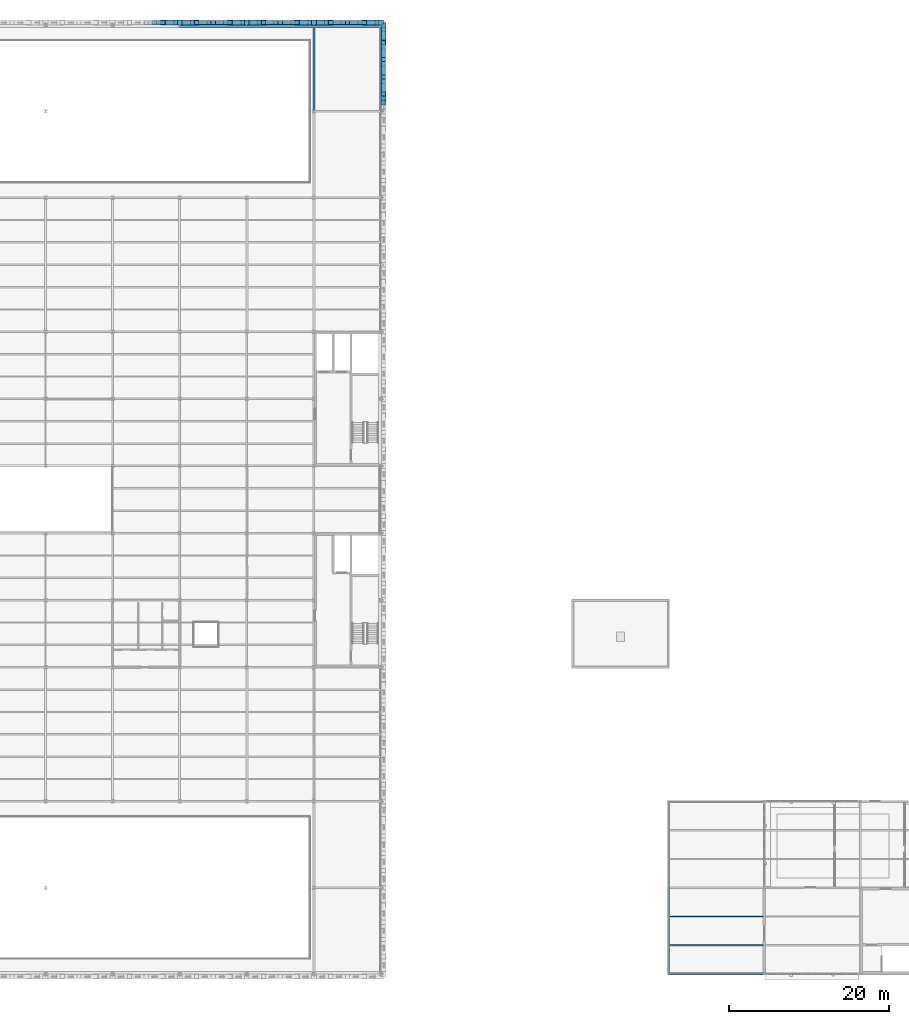
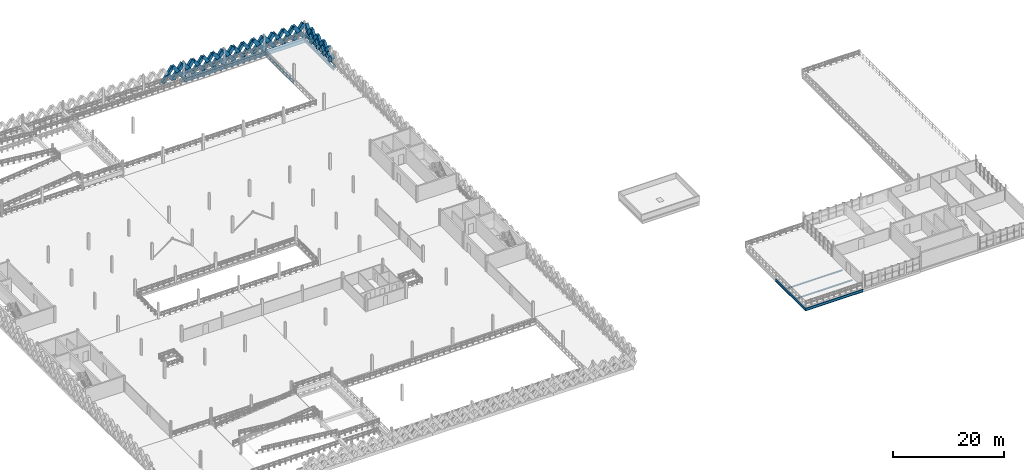
# One storey, part 28 of 62: 55 members, 9 beams.
"""IFC4 building model written with IfcOpenShell, lengths in metres."""

from ifc_helpers import new_model, si_unit, direction, frame, origin, origin_2d, place, context, subcontext, project, spatial, rectangle, hollow_rectangle, i_section, extrude, material, material_profile, profile_set, type_object, element, save


model = new_model("IFC4")

# Units and contexts
model_context = context("Model", 3, precision=1e-05, world=origin(), true_north=direction((0.0, 1.0)))
body_context = subcontext(model_context, "Body", "Model", "MODEL_VIEW")
ifc_project = project(units=[si_unit("LENGTHUNIT", "METRE"), si_unit("AREAUNIT", "SQUARE_METRE"), si_unit("VOLUMEUNIT", "CUBIC_METRE"), si_unit("PLANEANGLEUNIT", "RADIAN"), si_unit("MASSUNIT", "GRAM", prefix="KILO"), si_unit("THERMODYNAMICTEMPERATUREUNIT", "KELVIN"), si_unit("POWERUNIT", "WATT")], contexts=[model_context])

# Site, building, storey
site_placement = place(None, origin())
site = spatial("IfcSite", under=ifc_project, at=site_placement, CompositionType="ELEMENT")
building_placement = place(site_placement, origin())
building = spatial("IfcBuilding", under=site, at=building_placement, Name="Tembeka Court Mobility Hub", CompositionType="ELEMENT")
storey_placement = place(building_placement, frame((0.0, 0.0, 16.199951171875)))
storey = spatial("IfcBuildingStorey", under=building, at=storey_placement, Name="L04", CompositionType="ELEMENT", Elevation=16.199951171875)

# Beams
ifc_material_1 = material(Name="Steel S355", Category="steel")
ifc_material_profile_1 = material_profile(ifc_material_1, i_section(OverallWidth=0.22900390625, OverallDepth=0.612060546875, WebThickness=0.011962890625, FlangeThickness=0.01953125, FilletRadius=0.0126953125, at=origin_2d()), Name="UKB 610x229x125")
ifc_profile_set_1 = profile_set([ifc_material_profile_1], Name="Steel S355")
beam_type_1 = type_object("IfcBeamType", Name="BM-G02", PredefinedType="USERDEFINED", material=ifc_profile_set_1)
beam_1_placement = place(storey_placement, frame((128.39990234375, 0.0, -0.6259765625), z_axis=(1.0, 0.0, 0.0), x_axis=(0.0, 1.0, 0.0)))
element("IfcBeam", 1, at=beam_1_placement, inside=storey, type_object=beam_type_1, Name="Beam G02 (BM-L04-X2195)", ObjectType="GIRDER", PredefinedType="USERDEFINED", context=body_context, shape_type="SweptSolid", body=[
    extrude(i_section(OverallWidth=0.22900390625, OverallDepth=0.612060546875, WebThickness=0.011962890625, FlangeThickness=0.01953125, FilletRadius=0.0126953125, at=origin_2d()), origin(), (0.0, 0.0, 1.0), 12.0),
])
for number, where, z_axis, x_axis, name in (
    (2, (84.0, 108.0, -0.52587890625), (0.0, 1.0, 0.0), (-1.0, 0.0, 0.0), "Beam G02 (BM-L04-Y2406)"),
    (3, (92.39990234375, 108.0, -0.52587890625), (0.0, 1.0, 0.0), (-1.0, 0.0, 0.0), "Beam G02 (BM-L04-Y2417)"),
    (4, (128.39990234375, 0.0, -0.6259765625), (0.0, 1.0, 0.0), (-1.0, 0.0, 0.0), "Beam G02 (BM-L04-Y2419)"),
):
    element("IfcBeam", number, at=place(storey_placement, frame(where, z_axis=z_axis, x_axis=x_axis)), inside=storey, type_object=beam_type_1, Name=name, ObjectType="GIRDER", PredefinedType="USERDEFINED", context=body_context, shape_type="SweptSolid", body=[
        extrude(i_section(OverallWidth=0.22900390625, OverallDepth=0.612060546875, WebThickness=0.011962890625, FlangeThickness=0.01953125, FilletRadius=0.0126953125, at=origin_2d()), origin(), (0.0, 0.0, 1.0), 10.800048828125),
    ])
ifc_material_profile_2 = material_profile(ifc_material_1, i_section(OverallWidth=0.14990234375, OverallDepth=0.300048828125, WebThickness=0.007080078125, FlangeThickness=0.0107421875, FilletRadius=0.014892578125, at=origin_2d()), Name="IPE 300")
ifc_profile_set_2 = profile_set([ifc_material_profile_2], Name="Steel S355")
beam_type_2 = type_object("IfcBeamType", Name="BM-J04", PredefinedType="JOIST", material=ifc_profile_set_2)
for number, where, z_axis, x_axis, name in (
    (5, (128.509521484375, 3.60009765625, -0.469970703125), (1.0, 0.0, 0.0), (0.0, 1.0, 0.0), "Beam J04 (JST-L04-2634)"),
    (6, (128.509521484375, 7.199951171875, -0.469970703125), (1.0, 0.0, 0.0), (0.0, 1.0, 0.0), "Beam J04 (JST-L04-2635)"),
):
    element("IfcBeam", number, at=place(storey_placement, frame(where, z_axis=z_axis, x_axis=x_axis)), inside=storey, type_object=beam_type_2, Name=name, PredefinedType="JOIST", context=body_context, shape_type="SweptSolid", body=[
        extrude(i_section(OverallWidth=0.14990234375, OverallDepth=0.300048828125, WebThickness=0.007080078125, FlangeThickness=0.0107421875, FilletRadius=0.014892578125, at=origin_2d()), origin(), (0.0, 0.0, 1.0), 11.781005859375),
    ])
ifc_material_2 = material(Name="Precast concrete C45/55", Category="concrete")
ifc_material_profile_3 = material_profile(ifc_material_2, rectangle(XDim=0.64990234375, YDim=0.800048828125, at=origin_2d()), Name="PC-SP 650x800")
ifc_profile_set_3 = profile_set([ifc_material_profile_3], Name="Precast concrete C45/55")
beam_type_3 = type_object("IfcBeamType", Name="BM-SP01", PredefinedType="SPANDREL", material=ifc_profile_set_3)
beam_2_placement = place(storey_placement, frame((67.199951171875, 118.800048828125, -0.619873046875), z_axis=(1.0, 0.0, 0.0), x_axis=(0.0, 1.0, 0.0)))
element("IfcBeam", 7, at=beam_2_placement, inside=storey, type_object=beam_type_3, Name="Beam SP01 (BM-L04-X2310)", PredefinedType="SPANDREL", context=body_context, shape_type="SweptSolid", body=[
    extrude(rectangle(XDim=0.64990234375, YDim=0.800048828125, at=origin_2d()), origin(), (0.0, 0.0, 1.0), 8.400146484375),
])
for number, where, z_axis, x_axis, name in (
    (8, (75.60009765625, 118.800048828125, -0.619873046875), (1.0, 0.0, 0.0), (0.0, 1.0, 0.0), "Beam SP01 (BM-L04-X2311)"),
    (9, (84.0, 118.800048828125, -0.619873046875), (1.0, 0.0, 0.0), (0.0, 1.0, 0.0), "Beam SP01 (BM-L04-X2312)"),
):
    element("IfcBeam", number, at=place(storey_placement, frame(where, z_axis=z_axis, x_axis=x_axis)), inside=storey, type_object=beam_type_3, Name=name, PredefinedType="SPANDREL", context=body_context, shape_type="SweptSolid", body=[
        extrude(rectangle(XDim=0.64990234375, YDim=0.800048828125, at=origin_2d()), origin(), (0.0, 0.0, 1.0), 8.39990234375),
    ])

# Members
ifc_material_profile_4 = material_profile(ifc_material_2, rectangle(XDim=0.5, YDim=0.64990234375, at=origin_2d()), Name="PC-DIAG 500x650")
ifc_profile_set_4 = profile_set([ifc_material_profile_4], Name="Precast concrete C45/55")
member_type_1 = type_object("IfcMemberType", Name="MEM-DL01", PredefinedType="BRACE", material=ifc_profile_set_4)
member_1_placement = place(storey_placement, frame((63.0, 119.139892578125, 0.02001953125), z_axis=(0.582576362011, 0.0, 0.812775973086), x_axis=(0.0, 1.0, 0.0)))
element("IfcMember", 10, at=member_1_placement, inside=storey, type_object=member_type_1, Name="Precast diamond lattice continuous strand DL01 (L04-663A)", PredefinedType="BRACE", context=body_context, shape_type="SweptSolid", body=[
    extrude(rectangle(XDim=0.5, YDim=0.64990234375, at=origin_2d()), origin(), (0.0, 0.0, 1.0), 3.604736328125),
])
member_2_placement = place(storey_placement, frame((65.10009765625, 119.139892578125, 0.02001953125), z_axis=(-0.582544294934, 0.0, 0.812798956963), x_axis=(0.0, -1.0, 0.0)))
element("IfcMember", 11, at=member_2_placement, inside=storey, type_object=member_type_1, Name="Precast diamond lattice split lower strand DL01 (L04-663B1)", PredefinedType="BRACE", context=body_context, shape_type="SweptSolid", body=[
    extrude(rectangle(XDim=0.5, YDim=0.64990234375, at=origin_2d()), origin(), (0.0, 0.0, 1.0), 1.802490234375),
])
member_3_placement = place(storey_placement, frame((69.300048828125, 119.139892578125, 0.02001953125), z_axis=(0.58253161945, 0.0, 0.812808041509), x_axis=(0.0, 1.0, 0.0)))
element("IfcMember", 12, at=member_3_placement, inside=storey, type_object=member_type_1, Name="Precast diamond lattice continuous strand DL01 (L04-666A)", PredefinedType="BRACE", context=body_context, shape_type="SweptSolid", body=[
    extrude(rectangle(XDim=0.5, YDim=0.64990234375, at=origin_2d()), origin(), (0.0, 0.0, 1.0), 3.604736328125),
])
member_4_placement = place(storey_placement, frame((71.39990234375, 119.139892578125, 0.02001953125), z_axis=(-0.582454804382, 0.0, 0.812863088627), x_axis=(0.0, -1.0, 0.0)))
element("IfcMember", 13, at=member_4_placement, inside=storey, type_object=member_type_1, Name="Precast diamond lattice split lower strand DL01 (L04-666B1)", PredefinedType="BRACE", context=body_context, shape_type="SweptSolid", body=[
    extrude(rectangle(XDim=0.5, YDim=0.64990234375, at=origin_2d()), origin(), (0.0, 0.0, 1.0), 1.802490234375),
])
member_5_placement = place(storey_placement, frame((70.35009765625, 119.139892578125, 1.485107421875), z_axis=(-0.582608431711, 0.0, 0.812752985414), x_axis=(0.0, -1.0, 0.0)))
element("IfcMember", 14, at=member_5_placement, inside=storey, type_object=member_type_1, Name="Precast diamond lattice split upper strand DL01 (L04-666B2)", PredefinedType="BRACE", context=body_context, shape_type="SweptSolid", body=[
    extrude(rectangle(XDim=0.5, YDim=0.64990234375, at=origin_2d()), origin(), (0.0, 0.0, 1.0), 1.80224609375),
])
member_6_placement = place(storey_placement, frame((71.39990234375, 119.139892578125, 0.02001953125), z_axis=(0.582576362011, 0.0, 0.812775973086), x_axis=(0.0, 1.0, 0.0)))
element("IfcMember", 15, at=member_6_placement, inside=storey, type_object=member_type_1, Name="Precast diamond lattice continuous strand DL01 (L04-667A)", PredefinedType="BRACE", context=body_context, shape_type="SweptSolid", body=[
    extrude(rectangle(XDim=0.5, YDim=0.64990234375, at=origin_2d()), origin(), (0.0, 0.0, 1.0), 3.604736328125),
])
member_7_placement = place(storey_placement, frame((73.5, 119.139892578125, 0.02001953125), z_axis=(-0.582544294934, 0.0, 0.812798956963), x_axis=(0.0, -1.0, 0.0)))
element("IfcMember", 16, at=member_7_placement, inside=storey, type_object=member_type_1, Name="Precast diamond lattice split lower strand DL01 (L04-667B1)", PredefinedType="BRACE", context=body_context, shape_type="SweptSolid", body=[
    extrude(rectangle(XDim=0.5, YDim=0.64990234375, at=origin_2d()), origin(), (0.0, 0.0, 1.0), 1.802490234375),
])
member_8_placement = place(storey_placement, frame((72.449951171875, 119.139892578125, 1.485107421875), z_axis=(-0.582608431711, 0.0, 0.812752985414), x_axis=(0.0, -1.0, 0.0)))
element("IfcMember", 17, at=member_8_placement, inside=storey, type_object=member_type_1, Name="Precast diamond lattice split upper strand DL01 (L04-667B2)", PredefinedType="BRACE", context=body_context, shape_type="SweptSolid", body=[
    extrude(rectangle(XDim=0.5, YDim=0.64990234375, at=origin_2d()), origin(), (0.0, 0.0, 1.0), 1.80224609375),
])
member_9_placement = place(storey_placement, frame((77.699951171875, 119.139892578125, 0.02001953125), z_axis=(0.582576362011, 0.0, 0.812775973086), x_axis=(0.0, 1.0, 0.0)))
element("IfcMember", 18, at=member_9_placement, inside=storey, type_object=member_type_1, Name="Precast diamond lattice continuous strand DL01 (L04-670A)", PredefinedType="BRACE", context=body_context, shape_type="SweptSolid", body=[
    extrude(rectangle(XDim=0.5, YDim=0.64990234375, at=origin_2d()), origin(), (0.0, 0.0, 1.0), 3.604736328125),
])
member_10_placement = place(storey_placement, frame((79.800048828125, 119.139892578125, 0.02001953125), z_axis=(-0.582544294934, 0.0, 0.812798956963), x_axis=(0.0, -1.0, 0.0)))
element("IfcMember", 19, at=member_10_placement, inside=storey, type_object=member_type_1, Name="Precast diamond lattice split lower strand DL01 (L04-670B1)", PredefinedType="BRACE", context=body_context, shape_type="SweptSolid", body=[
    extrude(rectangle(XDim=0.5, YDim=0.64990234375, at=origin_2d()), origin(), (0.0, 0.0, 1.0), 1.802490234375),
])
member_11_placement = place(storey_placement, frame((78.75, 119.139892578125, 1.485107421875), z_axis=(-0.582608431711, 0.0, 0.812752985414), x_axis=(0.0, -1.0, 0.0)))
element("IfcMember", 20, at=member_11_placement, inside=storey, type_object=member_type_1, Name="Precast diamond lattice split upper strand DL01 (L04-670B2)", PredefinedType="BRACE", context=body_context, shape_type="SweptSolid", body=[
    extrude(rectangle(XDim=0.5, YDim=0.64990234375, at=origin_2d()), origin(), (0.0, 0.0, 1.0), 1.80224609375),
])
member_12_placement = place(storey_placement, frame((79.800048828125, 119.139892578125, 0.02001953125), z_axis=(0.58253161945, 0.0, 0.812808041509), x_axis=(0.0, 1.0, 0.0)))
element("IfcMember", 21, at=member_12_placement, inside=storey, type_object=member_type_1, Name="Precast diamond lattice continuous strand DL01 (L04-671A)", PredefinedType="BRACE", context=body_context, shape_type="SweptSolid", body=[
    extrude(rectangle(XDim=0.5, YDim=0.64990234375, at=origin_2d()), origin(), (0.0, 0.0, 1.0), 3.604736328125),
])
member_13_placement = place(storey_placement, frame((81.89990234375, 119.139892578125, 0.02001953125), z_axis=(-0.582454804382, 0.0, 0.812863088627), x_axis=(0.0, -1.0, 0.0)))
element("IfcMember", 22, at=member_13_placement, inside=storey, type_object=member_type_1, Name="Precast diamond lattice split lower strand DL01 (L04-671B1)", PredefinedType="BRACE", context=body_context, shape_type="SweptSolid", body=[
    extrude(rectangle(XDim=0.5, YDim=0.64990234375, at=origin_2d()), origin(), (0.0, 0.0, 1.0), 1.802490234375),
])
member_14_placement = place(storey_placement, frame((80.85009765625, 119.139892578125, 1.485107421875), z_axis=(-0.582608431711, 0.0, 0.812752985414), x_axis=(0.0, -1.0, 0.0)))
element("IfcMember", 23, at=member_14_placement, inside=storey, type_object=member_type_1, Name="Precast diamond lattice split upper strand DL01 (L04-671B2)", PredefinedType="BRACE", context=body_context, shape_type="SweptSolid", body=[
    extrude(rectangle(XDim=0.5, YDim=0.64990234375, at=origin_2d()), origin(), (0.0, 0.0, 1.0), 1.80224609375),
])
member_15_placement = place(storey_placement, frame((86.10009765625, 119.139892578125, 0.02001953125), z_axis=(0.58253161945, 0.0, 0.812808041509), x_axis=(0.0, 1.0, 0.0)))
element("IfcMember", 24, at=member_15_placement, inside=storey, type_object=member_type_1, Name="Precast diamond lattice continuous strand DL01 (L04-674A)", PredefinedType="BRACE", context=body_context, shape_type="SweptSolid", body=[
    extrude(rectangle(XDim=0.5, YDim=0.64990234375, at=origin_2d()), origin(), (0.0, 0.0, 1.0), 3.604736328125),
])
member_16_placement = place(storey_placement, frame((88.199951171875, 119.139892578125, 0.02001953125), z_axis=(-0.582544294934, 0.0, 0.812798956963), x_axis=(0.0, -1.0, 0.0)))
element("IfcMember", 25, at=member_16_placement, inside=storey, type_object=member_type_1, Name="Precast diamond lattice split lower strand DL01 (L04-674B1)", PredefinedType="BRACE", context=body_context, shape_type="SweptSolid", body=[
    extrude(rectangle(XDim=0.5, YDim=0.64990234375, at=origin_2d()), origin(), (0.0, 0.0, 1.0), 1.802490234375),
])
member_17_placement = place(storey_placement, frame((87.14990234375, 119.139892578125, 1.485107421875), z_axis=(-0.582518941428, 0.0, 0.812817127574), x_axis=(0.0, -1.0, 0.0)))
element("IfcMember", 26, at=member_17_placement, inside=storey, type_object=member_type_1, Name="Precast diamond lattice split upper strand DL01 (L04-674B2)", PredefinedType="BRACE", context=body_context, shape_type="SweptSolid", body=[
    extrude(rectangle(XDim=0.5, YDim=0.64990234375, at=origin_2d()), origin(), (0.0, 0.0, 1.0), 1.80224609375),
])
member_18_placement = place(storey_placement, frame((88.199951171875, 119.139892578125, 0.02001953125), z_axis=(0.582576362011, 0.0, 0.812775973086), x_axis=(0.0, 1.0, 0.0)))
element("IfcMember", 27, at=member_18_placement, inside=storey, type_object=member_type_1, Name="Precast diamond lattice continuous strand DL01 (L04-675A)", PredefinedType="BRACE", context=body_context, shape_type="SweptSolid", body=[
    extrude(rectangle(XDim=0.5, YDim=0.64990234375, at=origin_2d()), origin(), (0.0, 0.0, 1.0), 3.604736328125),
])
member_19_placement = place(storey_placement, frame((90.300048828125, 119.139892578125, 0.02001953125), z_axis=(-0.582544294934, 0.0, 0.812798956963), x_axis=(0.0, -1.0, 0.0)))
element("IfcMember", 28, at=member_19_placement, inside=storey, type_object=member_type_1, Name="Precast diamond lattice split lower strand DL01 (L04-675B1)", PredefinedType="BRACE", context=body_context, shape_type="SweptSolid", body=[
    extrude(rectangle(XDim=0.5, YDim=0.64990234375, at=origin_2d()), origin(), (0.0, 0.0, 1.0), 1.802490234375),
])
member_20_placement = place(storey_placement, frame((89.25, 119.139892578125, 1.485107421875), z_axis=(-0.582608431711, 0.0, 0.812752985414), x_axis=(0.0, -1.0, 0.0)))
element("IfcMember", 29, at=member_20_placement, inside=storey, type_object=member_type_1, Name="Precast diamond lattice split upper strand DL01 (L04-675B2)", PredefinedType="BRACE", context=body_context, shape_type="SweptSolid", body=[
    extrude(rectangle(XDim=0.5, YDim=0.64990234375, at=origin_2d()), origin(), (0.0, 0.0, 1.0), 1.80224609375),
])
member_21_placement = place(storey_placement, frame((92.739990234375, 110.159912109375, 0.02001953125), z_axis=(0.0, 0.593423219328, 0.804890602978), x_axis=(-1.0, 0.0, 0.0)))
element("IfcMember", 30, at=member_21_placement, inside=storey, type_object=member_type_1, Name="Precast diamond lattice continuous strand DL01 (L04-785C)", PredefinedType="BRACE", context=body_context, shape_type="SweptSolid", body=[
    extrude(rectangle(XDim=0.5, YDim=0.64990234375, at=origin_2d()), origin(), (0.0, 0.0, 1.0), 3.64013671875),
])
for number, where, z_axis, x_axis, name in (
    (31, (92.739990234375, 112.320068359375, 0.02001953125), (0.0, -0.593391185876, 0.804914219358), (1.0, 0.0, 0.0), "Precast diamond lattice split lower strand DL01 (L04-785D1)"),
    (32, (92.739990234375, 111.239990234375, 1.485107421875), (0.0, -0.593455255298, 0.804866982773), (1.0, 0.0, 0.0), "Precast diamond lattice split upper strand DL01 (L04-785D2)"),
):
    element("IfcMember", number, at=place(storey_placement, frame(where, z_axis=z_axis, x_axis=x_axis)), inside=storey, type_object=member_type_1, Name=name, PredefinedType="BRACE", context=body_context, shape_type="SweptSolid", body=[
        extrude(rectangle(XDim=0.5, YDim=0.64990234375, at=origin_2d()), origin(), (0.0, 0.0, 1.0), 1.820068359375),
    ])
member_22_placement = place(storey_placement, frame((92.739990234375, 112.320068359375, 0.02001953125), z_axis=(0.0, 0.593379766398, 0.804922637792), x_axis=(-1.0, 0.0, 0.0)))
element("IfcMember", 33, at=member_22_placement, inside=storey, type_object=member_type_1, Name="Precast diamond lattice continuous strand DL01 (L04-786C)", PredefinedType="BRACE", context=body_context, shape_type="SweptSolid", body=[
    extrude(rectangle(XDim=0.5, YDim=0.64990234375, at=origin_2d()), origin(), (0.0, 0.0, 1.0), 3.64013671875),
])
member_23_placement = place(storey_placement, frame((92.739990234375, 114.47998046875, 0.02001953125), z_axis=(0.0, -0.593391185876, 0.804914219358), x_axis=(1.0, 0.0, 0.0)))
element("IfcMember", 34, at=member_23_placement, inside=storey, type_object=member_type_1, Name="Precast diamond lattice split lower strand DL01 (L04-786D1)", PredefinedType="BRACE", context=body_context, shape_type="SweptSolid", body=[
    extrude(rectangle(XDim=0.5, YDim=0.64990234375, at=origin_2d()), origin(), (0.0, 0.0, 1.0), 1.820068359375),
])
member_24_placement = place(storey_placement, frame((92.739990234375, 113.39990234375, 1.485107421875), z_axis=(0.0, -0.593368344659, 0.804931057642), x_axis=(1.0, 0.0, 0.0)))
element("IfcMember", 35, at=member_24_placement, inside=storey, type_object=member_type_1, Name="Precast diamond lattice split upper strand DL01 (L04-786D2)", PredefinedType="BRACE", context=body_context, shape_type="SweptSolid", body=[
    extrude(rectangle(XDim=0.5, YDim=0.64990234375, at=origin_2d()), origin(), (0.0, 0.0, 1.0), 1.81982421875),
])
member_25_placement = place(storey_placement, frame((92.739990234375, 114.47998046875, 0.02001953125), z_axis=(0.0, 0.593379766398, 0.804922637792), x_axis=(-1.0, 0.0, 0.0)))
element("IfcMember", 36, at=member_25_placement, inside=storey, type_object=member_type_1, Name="Precast diamond lattice continuous strand DL01 (L04-787C)", PredefinedType="BRACE", context=body_context, shape_type="SweptSolid", body=[
    extrude(rectangle(XDim=0.5, YDim=0.64990234375, at=origin_2d()), origin(), (0.0, 0.0, 1.0), 3.64013671875),
])
for number, where, z_axis, x_axis, name in (
    (37, (92.739990234375, 116.639892578125, 0.02001953125), (0.0, -0.593304274421, 0.804978284151), (1.0, 0.0, 0.0), "Precast diamond lattice split lower strand DL01 (L04-787D1)"),
    (38, (92.739990234375, 115.56005859375, 1.485107421875), (0.0, -0.593455255298, 0.804866982773), (1.0, 0.0, 0.0), "Precast diamond lattice split upper strand DL01 (L04-787D2)"),
):
    element("IfcMember", number, at=place(storey_placement, frame(where, z_axis=z_axis, x_axis=x_axis)), inside=storey, type_object=member_type_1, Name=name, PredefinedType="BRACE", context=body_context, shape_type="SweptSolid", body=[
        extrude(rectangle(XDim=0.5, YDim=0.64990234375, at=origin_2d()), origin(), (0.0, 0.0, 1.0), 1.820068359375),
    ])
ifc_material_profile_5 = material_profile(ifc_material_2, rectangle(XDim=0.60009765625, YDim=0.75, at=origin_2d()), Name="PC-DIAG 600x750")
ifc_profile_set_5 = profile_set([ifc_material_profile_5], Name="Precast concrete C45/55")
member_type_2 = type_object("IfcMemberType", Name="MEM-DL02", PredefinedType="BRACE", material=ifc_profile_set_5)
member_26_placement = place(storey_placement, frame((65.10009765625, 119.139892578125, 0.02001953125), z_axis=(0.58253161945, 0.0, 0.812808041509), x_axis=(0.0, 1.0, 0.0)))
element("IfcMember", 39, at=member_26_placement, inside=storey, type_object=member_type_2, Name="Precast diamond lattice continuous strand DL02 (L04-664A)", PredefinedType="BRACE", context=body_context, shape_type="SweptSolid", body=[
    extrude(rectangle(XDim=0.60009765625, YDim=0.75, at=origin_2d()), origin(), (0.0, 0.0, 1.0), 3.604736328125),
])
member_27_placement = place(storey_placement, frame((67.199951171875, 119.139892578125, 0.02001953125), z_axis=(-0.582544294934, 0.0, 0.812798956963), x_axis=(0.0, -1.0, 0.0)))
element("IfcMember", 40, at=member_27_placement, inside=storey, type_object=member_type_2, Name="Precast diamond lattice split lower strand DL02 (L04-664B1)", PredefinedType="BRACE", context=body_context, shape_type="SweptSolid", body=[
    extrude(rectangle(XDim=0.60009765625, YDim=0.75, at=origin_2d()), origin(), (0.0, 0.0, 1.0), 1.802490234375),
])
member_28_placement = place(storey_placement, frame((66.14990234375, 119.139892578125, 1.485107421875), z_axis=(-0.582518941428, 0.0, 0.812817127574), x_axis=(0.0, -1.0, 0.0)))
element("IfcMember", 41, at=member_28_placement, inside=storey, type_object=member_type_2, Name="Precast diamond lattice split upper strand DL02 (L04-664B2)", PredefinedType="BRACE", context=body_context, shape_type="SweptSolid", body=[
    extrude(rectangle(XDim=0.60009765625, YDim=0.75, at=origin_2d()), origin(), (0.0, 0.0, 1.0), 1.80224609375),
])
member_29_placement = place(storey_placement, frame((67.199951171875, 119.139892578125, 0.02001953125), z_axis=(0.582576362011, 0.0, 0.812775973086), x_axis=(0.0, 1.0, 0.0)))
element("IfcMember", 42, at=member_29_placement, inside=storey, type_object=member_type_2, Name="Precast diamond lattice continuous strand DL02 (L04-665A)", PredefinedType="BRACE", context=body_context, shape_type="SweptSolid", body=[
    extrude(rectangle(XDim=0.60009765625, YDim=0.75, at=origin_2d()), origin(), (0.0, 0.0, 1.0), 3.604736328125),
])
member_30_placement = place(storey_placement, frame((69.300048828125, 119.139892578125, 0.02001953125), z_axis=(-0.582544294934, 0.0, 0.812798956963), x_axis=(0.0, -1.0, 0.0)))
element("IfcMember", 43, at=member_30_placement, inside=storey, type_object=member_type_2, Name="Precast diamond lattice split lower strand DL02 (L04-665B1)", PredefinedType="BRACE", context=body_context, shape_type="SweptSolid", body=[
    extrude(rectangle(XDim=0.60009765625, YDim=0.75, at=origin_2d()), origin(), (0.0, 0.0, 1.0), 1.802490234375),
])
member_31_placement = place(storey_placement, frame((68.25, 119.139892578125, 1.485107421875), z_axis=(-0.582608431711, 0.0, 0.812752985414), x_axis=(0.0, -1.0, 0.0)))
element("IfcMember", 44, at=member_31_placement, inside=storey, type_object=member_type_2, Name="Precast diamond lattice split upper strand DL02 (L04-665B2)", PredefinedType="BRACE", context=body_context, shape_type="SweptSolid", body=[
    extrude(rectangle(XDim=0.60009765625, YDim=0.75, at=origin_2d()), origin(), (0.0, 0.0, 1.0), 1.80224609375),
])
member_32_placement = place(storey_placement, frame((73.5, 119.139892578125, 0.02001953125), z_axis=(0.582576362011, 0.0, 0.812775973086), x_axis=(0.0, 1.0, 0.0)))
element("IfcMember", 45, at=member_32_placement, inside=storey, type_object=member_type_2, Name="Precast diamond lattice continuous strand DL02 (L04-668A)", PredefinedType="BRACE", context=body_context, shape_type="SweptSolid", body=[
    extrude(rectangle(XDim=0.60009765625, YDim=0.75, at=origin_2d()), origin(), (0.0, 0.0, 1.0), 3.604736328125),
])
member_33_placement = place(storey_placement, frame((75.60009765625, 119.139892578125, 0.02001953125), z_axis=(-0.582544294934, 0.0, 0.812798956963), x_axis=(0.0, -1.0, 0.0)))
element("IfcMember", 46, at=member_33_placement, inside=storey, type_object=member_type_2, Name="Precast diamond lattice split lower strand DL02 (L04-668B1)", PredefinedType="BRACE", context=body_context, shape_type="SweptSolid", body=[
    extrude(rectangle(XDim=0.60009765625, YDim=0.75, at=origin_2d()), origin(), (0.0, 0.0, 1.0), 1.802490234375),
])
member_34_placement = place(storey_placement, frame((74.550048828125, 119.139892578125, 1.485107421875), z_axis=(-0.582608431711, 0.0, 0.812752985414), x_axis=(0.0, -1.0, 0.0)))
element("IfcMember", 47, at=member_34_placement, inside=storey, type_object=member_type_2, Name="Precast diamond lattice split upper strand DL02 (L04-668B2)", PredefinedType="BRACE", context=body_context, shape_type="SweptSolid", body=[
    extrude(rectangle(XDim=0.60009765625, YDim=0.75, at=origin_2d()), origin(), (0.0, 0.0, 1.0), 1.80224609375),
])
member_35_placement = place(storey_placement, frame((75.60009765625, 119.139892578125, 0.02001953125), z_axis=(0.58253161945, 0.0, 0.812808041509), x_axis=(0.0, 1.0, 0.0)))
element("IfcMember", 48, at=member_35_placement, inside=storey, type_object=member_type_2, Name="Precast diamond lattice continuous strand DL02 (L04-669A)", PredefinedType="BRACE", context=body_context, shape_type="SweptSolid", body=[
    extrude(rectangle(XDim=0.60009765625, YDim=0.75, at=origin_2d()), origin(), (0.0, 0.0, 1.0), 3.604736328125),
])
member_36_placement = place(storey_placement, frame((77.699951171875, 119.139892578125, 0.02001953125), z_axis=(-0.582544294934, 0.0, 0.812798956963), x_axis=(0.0, -1.0, 0.0)))
element("IfcMember", 49, at=member_36_placement, inside=storey, type_object=member_type_2, Name="Precast diamond lattice split lower strand DL02 (L04-669B1)", PredefinedType="BRACE", context=body_context, shape_type="SweptSolid", body=[
    extrude(rectangle(XDim=0.60009765625, YDim=0.75, at=origin_2d()), origin(), (0.0, 0.0, 1.0), 1.802490234375),
])
member_37_placement = place(storey_placement, frame((76.64990234375, 119.139892578125, 1.485107421875), z_axis=(-0.582518941428, 0.0, 0.812817127574), x_axis=(0.0, -1.0, 0.0)))
element("IfcMember", 50, at=member_37_placement, inside=storey, type_object=member_type_2, Name="Precast diamond lattice split upper strand DL02 (L04-669B2)", PredefinedType="BRACE", context=body_context, shape_type="SweptSolid", body=[
    extrude(rectangle(XDim=0.60009765625, YDim=0.75, at=origin_2d()), origin(), (0.0, 0.0, 1.0), 1.80224609375),
])
member_38_placement = place(storey_placement, frame((81.89990234375, 119.139892578125, 0.02001953125), z_axis=(0.582576362011, 0.0, 0.812775973086), x_axis=(0.0, 1.0, 0.0)))
element("IfcMember", 51, at=member_38_placement, inside=storey, type_object=member_type_2, Name="Precast diamond lattice continuous strand DL02 (L04-672A)", PredefinedType="BRACE", context=body_context, shape_type="SweptSolid", body=[
    extrude(rectangle(XDim=0.60009765625, YDim=0.75, at=origin_2d()), origin(), (0.0, 0.0, 1.0), 3.604736328125),
])
member_39_placement = place(storey_placement, frame((84.0, 119.139892578125, 0.02001953125), z_axis=(-0.582544294934, 0.0, 0.812798956963), x_axis=(0.0, -1.0, 0.0)))
element("IfcMember", 52, at=member_39_placement, inside=storey, type_object=member_type_2, Name="Precast diamond lattice split lower strand DL02 (L04-672B1)", PredefinedType="BRACE", context=body_context, shape_type="SweptSolid", body=[
    extrude(rectangle(XDim=0.60009765625, YDim=0.75, at=origin_2d()), origin(), (0.0, 0.0, 1.0), 1.802490234375),
])
member_40_placement = place(storey_placement, frame((82.949951171875, 119.139892578125, 1.485107421875), z_axis=(-0.582608431711, 0.0, 0.812752985414), x_axis=(0.0, -1.0, 0.0)))
element("IfcMember", 53, at=member_40_placement, inside=storey, type_object=member_type_2, Name="Precast diamond lattice split upper strand DL02 (L04-672B2)", PredefinedType="BRACE", context=body_context, shape_type="SweptSolid", body=[
    extrude(rectangle(XDim=0.60009765625, YDim=0.75, at=origin_2d()), origin(), (0.0, 0.0, 1.0), 1.80224609375),
])
member_41_placement = place(storey_placement, frame((84.0, 119.139892578125, 0.02001953125), z_axis=(0.582576362011, 0.0, 0.812775973086), x_axis=(0.0, 1.0, 0.0)))
element("IfcMember", 54, at=member_41_placement, inside=storey, type_object=member_type_2, Name="Precast diamond lattice continuous strand DL02 (L04-673A)", PredefinedType="BRACE", context=body_context, shape_type="SweptSolid", body=[
    extrude(rectangle(XDim=0.60009765625, YDim=0.75, at=origin_2d()), origin(), (0.0, 0.0, 1.0), 3.604736328125),
])
member_42_placement = place(storey_placement, frame((86.10009765625, 119.139892578125, 0.02001953125), z_axis=(-0.582544294934, 0.0, 0.812798956963), x_axis=(0.0, -1.0, 0.0)))
element("IfcMember", 55, at=member_42_placement, inside=storey, type_object=member_type_2, Name="Precast diamond lattice split lower strand DL02 (L04-673B1)", PredefinedType="BRACE", context=body_context, shape_type="SweptSolid", body=[
    extrude(rectangle(XDim=0.60009765625, YDim=0.75, at=origin_2d()), origin(), (0.0, 0.0, 1.0), 1.802490234375),
])
member_43_placement = place(storey_placement, frame((85.050048828125, 119.139892578125, 1.485107421875), z_axis=(-0.582608431711, 0.0, 0.812752985414), x_axis=(0.0, -1.0, 0.0)))
element("IfcMember", 56, at=member_43_placement, inside=storey, type_object=member_type_2, Name="Precast diamond lattice split upper strand DL02 (L04-673B2)", PredefinedType="BRACE", context=body_context, shape_type="SweptSolid", body=[
    extrude(rectangle(XDim=0.60009765625, YDim=0.75, at=origin_2d()), origin(), (0.0, 0.0, 1.0), 1.80224609375),
])
member_44_placement = place(storey_placement, frame((90.300048828125, 119.139892578125, 0.02001953125), z_axis=(0.58253161945, 0.0, 0.812808041509), x_axis=(0.0, 1.0, 0.0)))
element("IfcMember", 57, at=member_44_placement, inside=storey, type_object=member_type_2, Name="Precast diamond lattice continuous strand DL02 (L04-676A)", PredefinedType="BRACE", context=body_context, shape_type="SweptSolid", body=[
    extrude(rectangle(XDim=0.60009765625, YDim=0.75, at=origin_2d()), origin(), (0.0, 0.0, 1.0), 3.604736328125),
])
member_45_placement = place(storey_placement, frame((92.39990234375, 119.139892578125, 0.02001953125), z_axis=(-0.582454804382, 0.0, 0.812863088627), x_axis=(0.0, -1.0, 0.0)))
element("IfcMember", 58, at=member_45_placement, inside=storey, type_object=member_type_2, Name="Precast diamond lattice split lower strand DL02 (L04-676B1)", PredefinedType="BRACE", context=body_context, shape_type="SweptSolid", body=[
    extrude(rectangle(XDim=0.60009765625, YDim=0.75, at=origin_2d()), origin(), (0.0, 0.0, 1.0), 1.802490234375),
])
member_46_placement = place(storey_placement, frame((91.35009765625, 119.139892578125, 1.485107421875), z_axis=(-0.582608431711, 0.0, 0.812752985414), x_axis=(0.0, -1.0, 0.0)))
element("IfcMember", 59, at=member_46_placement, inside=storey, type_object=member_type_2, Name="Precast diamond lattice split upper strand DL02 (L04-676B2)", PredefinedType="BRACE", context=body_context, shape_type="SweptSolid", body=[
    extrude(rectangle(XDim=0.60009765625, YDim=0.75, at=origin_2d()), origin(), (0.0, 0.0, 1.0), 1.80224609375),
])
member_47_placement = place(storey_placement, frame((92.739990234375, 110.159912109375, 0.02001953125), z_axis=(0.0, -0.593304274421, 0.804978284151), x_axis=(1.0, 0.0, 0.0)))
element("IfcMember", 60, at=member_47_placement, inside=storey, type_object=member_type_2, Name="Precast diamond lattice split lower strand DL02 (L04-784D1)", PredefinedType="BRACE", context=body_context, shape_type="SweptSolid", body=[
    extrude(rectangle(XDim=0.60009765625, YDim=0.75, at=origin_2d()), origin(), (0.0, 0.0, 1.0), 1.820068359375),
])
member_48_placement = place(storey_placement, frame((92.739990234375, 116.639892578125, 0.02001953125), z_axis=(0.0, 0.593423219328, 0.804890602978), x_axis=(-1.0, 0.0, 0.0)))
element("IfcMember", 61, at=member_48_placement, inside=storey, type_object=member_type_2, Name="Precast diamond lattice continuous strand DL02 (L04-788C)", PredefinedType="BRACE", context=body_context, shape_type="SweptSolid", body=[
    extrude(rectangle(XDim=0.60009765625, YDim=0.75, at=origin_2d()), origin(), (0.0, 0.0, 1.0), 3.64013671875),
])
for number, where, z_axis, x_axis, name in (
    (62, (92.739990234375, 118.800048828125, 0.02001953125), (0.0, -0.593391185876, 0.804914219358), (1.0, 0.0, 0.0), "Precast diamond lattice split lower strand DL02 (L04-788D1)"),
    (63, (92.739990234375, 117.719970703125, 1.485107421875), (0.0, -0.593455255298, 0.804866982773), (1.0, 0.0, 0.0), "Precast diamond lattice split upper strand DL02 (L04-788D2)"),
):
    element("IfcMember", number, at=place(storey_placement, frame(where, z_axis=z_axis, x_axis=x_axis)), inside=storey, type_object=member_type_2, Name=name, PredefinedType="BRACE", context=body_context, shape_type="SweptSolid", body=[
        extrude(rectangle(XDim=0.60009765625, YDim=0.75, at=origin_2d()), origin(), (0.0, 0.0, 1.0), 1.820068359375),
    ])
ifc_material_profile_6 = material_profile(ifc_material_1, hollow_rectangle(XDim=0.14990234375, YDim=0.300048828125, WallThickness=0.010009765625, at=origin_2d()), Name="RHS 300x150x10")
ifc_profile_set_6 = profile_set([ifc_material_profile_6], Name="Steel S355")
member_type_3 = type_object("IfcMemberType", Name="MEM-ST03", PredefinedType="STRUT", material=ifc_profile_set_6)
member_49_placement = place(storey_placement, frame((92.739990234375, 108.0, 0.02001953125), z_axis=(0.0, 1.0, 0.0), x_axis=(-1.0, 0.0, 0.0)))
element("IfcMember", 64, at=member_49_placement, inside=storey, type_object=member_type_3, Name="Proud lattice sill tie chord SR03 (L04-E-108)", PredefinedType="STRUT", context=body_context, shape_type="SweptSolid", body=[
    extrude(hollow_rectangle(XDim=0.14990234375, YDim=0.300048828125, WallThickness=0.010009765625, at=origin_2d()), origin(), (0.0, 0.0, 1.0), 10.800048828125),
])

save(model, "model.ifc")
